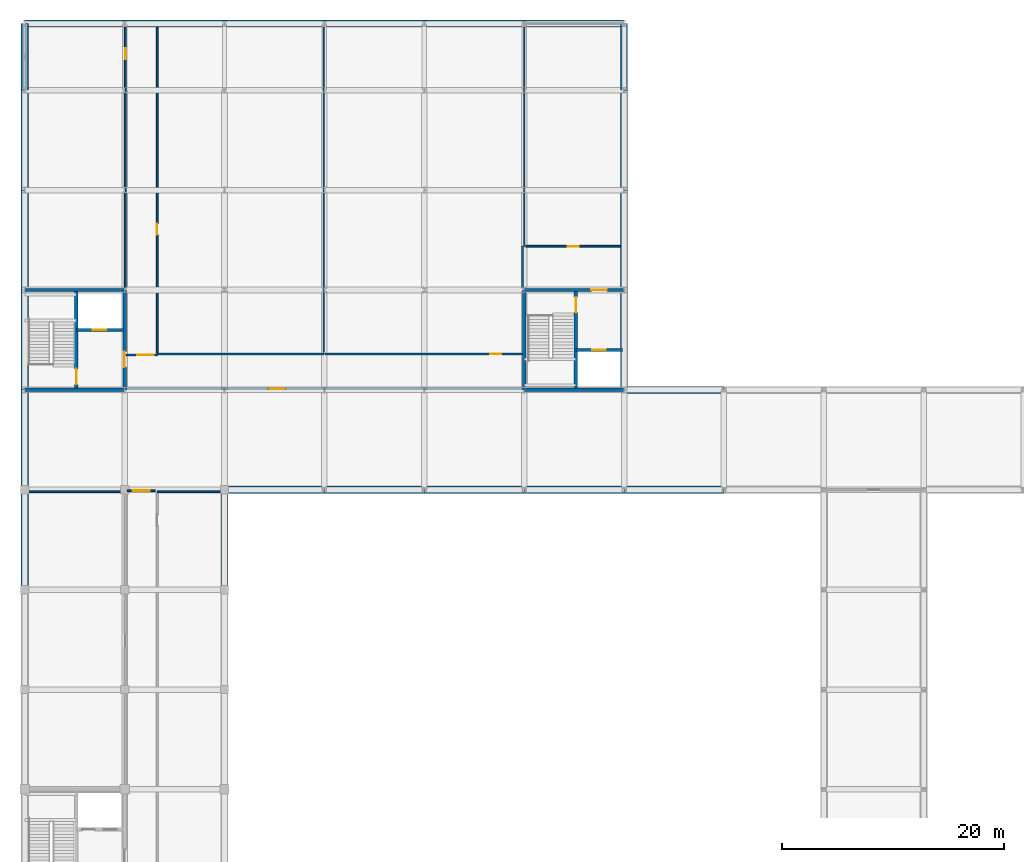
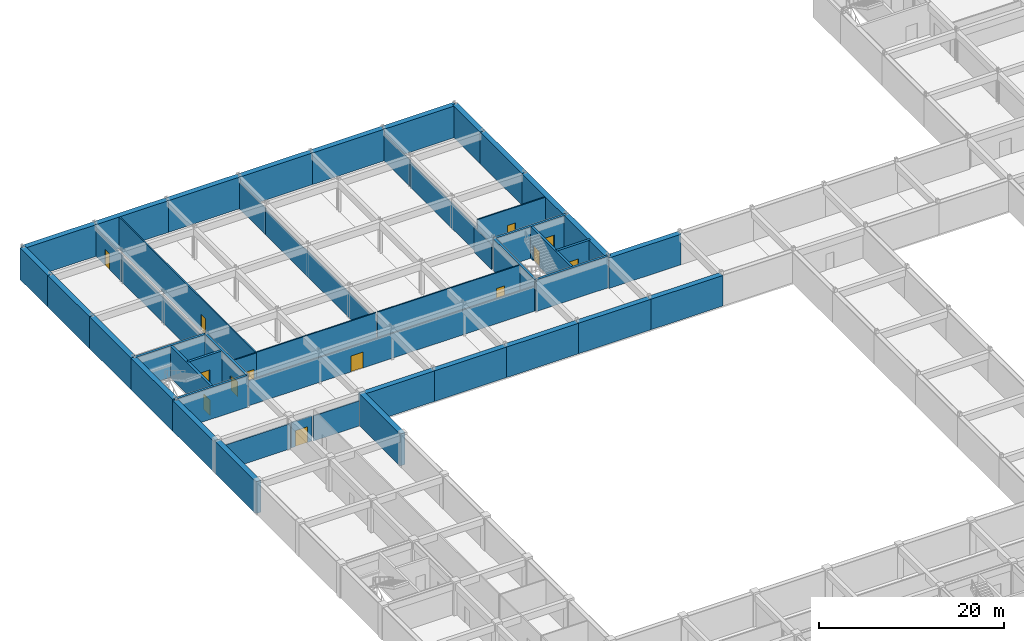
# One storey, part 23 of 35: 49 walls, 13 doors, 13 openings.
"""IFC4 building model written with IfcOpenShell, lengths in metres."""

import ifcopenshell
import ifcopenshell.guid

model = None  # the IFC model being written
_history = None  # IfcOwnerHistory: only IFC2X3 demands one
_inside = {}  # id of a spatial element -> (the spatial element, [elements in it])
_under = {}  # id of a project, library or spatial element -> (it, [spatial elements below it])
_declared = {}  # id of a project -> (the project, [libraries it declares])
_typed = {}  # id of a type object -> (the type object, [elements of that type])
_made_of = {}  # id of a material, layer set ... -> (it, [elements and type objects made of it])


def new_model(schema):
    """Start an empty IFC model of exactly this schema.

    Asked for "IFC4X3", IfcOpenShell would pick the latest addendum, in which some entities
    have other attributes; the version numbers below select the first issue.
    IFC2X3 requires an IfcOwnerHistory on every rooted entity: one is made here for all.
    """
    global model, _history
    if schema == "IFC4X3":
        model = ifcopenshell.file(schema_version=(4, 3, 0, 0))
    else:
        model = ifcopenshell.file(schema=schema)
    _inside.clear()
    _under.clear()
    _declared.clear()
    _typed.clear()
    _made_of.clear()
    _history = None
    if model.schema == "IFC2X3":
        org = make("IfcOrganization", Name="unknown")
        user = make(
            "IfcPersonAndOrganization",
            ThePerson=make("IfcPerson", FamilyName="unknown"),
            TheOrganization=org,
        )
        app = make(
            "IfcApplication",
            ApplicationDeveloper=org,
            Version="unknown",
            ApplicationFullName="unknown",
            ApplicationIdentifier="unknown",
        )
        _history = make(
            "IfcOwnerHistory",
            OwningUser=user,
            OwningApplication=app,
            ChangeAction="ADDED",
            CreationDate=0,
        )
    return model


def make(cls, **values):
    """One entity of the class cls with the attributes given. An attribute that is None is left unset."""
    return model.create_entity(
        cls, **{name: value for name, value in values.items() if value is not None}
    )


def rooted(cls, **values):
    """An entity with a GlobalId (a new one), such as an element, a storey or a relation."""
    return make(cls, GlobalId=ifcopenshell.guid.new(), OwnerHistory=_history, **values)


def si_unit(unit_type, name, prefix=None):
    """IfcSIUnit, for example si_unit("LENGTHUNIT", "METRE", prefix="MILLI")."""
    return make("IfcSIUnit", UnitType=unit_type, Prefix=prefix, Name=name)


def assignment(units):
    """IfcUnitAssignment: the units of a project."""
    return None if units is None else make("IfcUnitAssignment", Units=units)


def point(xyz):
    """IfcCartesianPoint."""
    return None if xyz is None else make("IfcCartesianPoint", Coordinates=xyz)


def direction(xyz):
    """IfcDirection."""
    return None if xyz is None else make("IfcDirection", DirectionRatios=xyz)


def frame(location, z_axis=None, x_axis=None):
    """IfcAxis2Placement3D, a coordinate frame: its origin and axes. An axis left out is left unset."""
    return make(
        "IfcAxis2Placement3D",
        Location=point(location),
        Axis=direction(z_axis),
        RefDirection=direction(x_axis),
    )


def frame_2d(location, x_axis=None):
    """IfcAxis2Placement2D, a coordinate frame in the plane: its origin and x axis."""
    return make(
        "IfcAxis2Placement2D", Location=point(location), RefDirection=direction(x_axis)
    )


def origin():
    """The frame at (0, 0, 0) with its axes left unset."""
    return frame((0.0, 0.0, 0.0))


def place(relative_to, where):
    """IfcLocalPlacement: puts the frame where relative to a parent placement (None: the world)."""
    return make(
        "IfcLocalPlacement", PlacementRelTo=relative_to, RelativePlacement=where
    )


def context(
    kind, dimensions, precision=None, world=None, true_north=None, identifier=None
):
    """IfcGeometricRepresentationContext, for example the 3D "Model" context."""
    return make(
        "IfcGeometricRepresentationContext",
        ContextIdentifier=identifier,
        ContextType=kind,
        CoordinateSpaceDimension=dimensions,
        Precision=precision,
        WorldCoordinateSystem=world,
        TrueNorth=true_north,
    )


def subcontext(parent, identifier, kind, view, scale=None):
    """IfcGeometricRepresentationSubContext, for example "Body" below "Model"."""
    return make(
        "IfcGeometricRepresentationSubContext",
        ContextIdentifier=identifier,
        ContextType=kind,
        ParentContext=parent,
        TargetScale=scale,
        TargetView=view,
    )


def project(units=None, contexts=None):
    """IfcProject with its units and contexts."""
    return rooted(
        "IfcProject",
        Name="project",
        RepresentationContexts=contexts,
        UnitsInContext=assignment(units),
    )


def spatial(cls, under=None, at=None, **own):
    """A site, building, storey or space (cls), placed at a placement, below another one or the project."""
    s = rooted(cls, ObjectPlacement=at, **own)
    if under is not None:
        _under.setdefault(under.id(), (under, []))[1].append(s)
    return s


def profile(cls, at=None, kind="AREA", **sizes):
    """A parametric profile (cls). Its sizes go by their IFC names, for example OverallWidth=200.0."""
    return make(cls, ProfileType=kind, Position=at, **sizes)


def rectangle(**sizes):
    """IfcRectangleProfileDef."""
    return profile("IfcRectangleProfileDef", **sizes)


def extrude(swept, where, along, depth):
    """IfcExtrudedAreaSolid: the profile swept, set in the frame where, extruded along a direction by depth."""
    return make(
        "IfcExtrudedAreaSolid",
        SweptArea=swept,
        Position=where,
        ExtrudedDirection=direction(along),
        Depth=depth,
    )


def shape(context_of_items, identifier, shape_type, items):
    """IfcShapeRepresentation: the items that make up one representation, for example the "Body"."""
    return make(
        "IfcShapeRepresentation",
        ContextOfItems=context_of_items,
        RepresentationIdentifier=identifier,
        RepresentationType=shape_type,
        Items=items,
    )


def material(Name=None, Category=None):
    """IfcMaterial."""
    return make("IfcMaterial", Name=Name, Category=Category)


def layer(
    of_material, thickness, ventilated=None, Name=None, Category=None, Priority=None
):
    """IfcMaterialLayer: one layer of a wall or slab, of a material (None: an air gap)."""
    return make(
        "IfcMaterialLayer",
        Material=of_material,
        LayerThickness=thickness,
        IsVentilated=ventilated,
        Name=Name,
        Category=Category,
        Priority=Priority,
    )


def layer_set(layers, Name=None):
    """IfcMaterialLayerSet."""
    return make("IfcMaterialLayerSet", MaterialLayers=layers, LayerSetName=Name)


def made_of(thing, what):
    """Note that an element or type object is made of a material, layer set ...; save() writes the relation."""
    if what is not None:
        _made_of.setdefault(what.id(), (what, []))[1].append(thing)
    return thing


def type_object(cls, material=None, **own):
    """A type object (cls), such as IfcWallType, which elements share."""
    return made_of(rooted(cls, **own), material)


def element(
    cls,
    number,
    at=None,
    inside=None,
    cuts=None,
    type_object=None,
    material=None,
    context=None,
    identifier="Body",
    shape_type=None,
    held_by="IfcProductDefinitionShape",
    body=None,
    shapes=None,
    **own,
):
    """One element of the class cls, such as IfcWall. Its Tag is "e" and its number.

    at: its placement. inside: the storey or other place that contains it. cuts: it is an
    opening in that element (IfcRelVoidsElement). A single representation is given by context,
    identifier, shape_type and body (its items); several are given by shapes. held_by: the class
    of the entity that holds the representations. save() writes the other relations.
    """
    e = rooted(cls, Tag="e%d" % number, ObjectPlacement=at, **own)
    if body is not None:
        shapes = [shape(context, identifier, shape_type, body)]
    if shapes is not None:
        e.Representation = make(held_by, Representations=shapes)
    if inside is not None:
        _inside.setdefault(inside.id(), (inside, []))[1].append(e)
    if cuts is not None:
        rooted(
            "IfcRelVoidsElement", RelatingBuildingElement=cuts, RelatedOpeningElement=e
        )
    if type_object is not None:
        _typed.setdefault(type_object.id(), (type_object, []))[1].append(e)
    return made_of(e, material)


def fill(opening, filler):
    """IfcRelFillsElement: the door or window that sits in an opening."""
    return rooted(
        "IfcRelFillsElement",
        RelatingOpeningElement=opening,
        RelatedBuildingElement=filler,
    )


def aggregate(whole, parts):
    """IfcRelAggregates: a whole, such as a stair, and the parts it consists of."""
    return rooted("IfcRelAggregates", RelatingObject=whole, RelatedObjects=parts)


def save(model, path):
    """Write the relations noted so far, then the file.

    IfcRelAggregates (storeys below a building ...), IfcRelContainedInSpatialStructure (elements
    in a storey), IfcRelDefinesByType, IfcRelAssociatesMaterial and IfcRelDeclares: one each for
    every whole, place, type object, material and project.
    """
    for whole, parts in _under.values():
        aggregate(whole, parts)
    for where, things in _inside.values():
        rooted(
            "IfcRelContainedInSpatialStructure",
            RelatedElements=things,
            RelatingStructure=where,
        )
    for kind, things in _typed.values():
        rooted("IfcRelDefinesByType", RelatedObjects=things, RelatingType=kind)
    for what, things in _made_of.values():
        rooted("IfcRelAssociatesMaterial", RelatedObjects=things, RelatingMaterial=what)
    for by, libraries in _declared.values():
        rooted("IfcRelDeclares", RelatingContext=by, RelatedDefinitions=libraries)
    model.write(path)


model = new_model("IFC4")

# Units and contexts
model_context = context("Model", 3, precision=1e-05, world=origin(), true_north=direction((0.0, 1.0)))
body_context = subcontext(model_context, "Body", "Model", "MODEL_VIEW")
ifc_project = project(units=[si_unit("LENGTHUNIT", "METRE"), si_unit("AREAUNIT", "SQUARE_METRE"), si_unit("VOLUMEUNIT", "CUBIC_METRE"), si_unit("PLANEANGLEUNIT", "RADIAN"), si_unit("MASSUNIT", "GRAM", prefix="KILO")], contexts=[model_context])

# Site, building, storey
site_placement = place(None, origin())
site = spatial("IfcSite", under=ifc_project, at=site_placement, CompositionType="ELEMENT")
building_placement = place(site_placement, origin())
building = spatial("IfcBuilding", under=site, at=building_placement, Name="Palais des Congres Ocreval", CompositionType="ELEMENT")
storey_placement = place(building_placement, frame((0.0, 0.0, -4.47998046875)))
storey = spatial("IfcBuildingStorey", under=building, at=storey_placement, Name="B1", CompositionType="ELEMENT", Elevation=-4.47998046875)

# Wall
ifc_material_1 = material(Name="Concrete C40/50", Category="concrete")
ifc_layer_1 = layer(ifc_material_1, 0.300048828125)
ifc_layer_set_1 = layer_set([ifc_layer_1], Name="Core Shear Wall 300 Concrete C40/50")
wall_type_1 = type_object("IfcWallType", Name="Core Shear Wall 300 Concrete C40/50", PredefinedType="SHEAR", material=ifc_layer_set_1)
wall_1_placement = place(storey_placement, frame((0.0, 81.0, 0.0), z_axis=(0.0, 0.0, 1.0), x_axis=(1.0, 0.0, 0.0)))
element("IfcWall", 1, at=wall_1_placement, inside=storey, type_object=wall_type_1, Name="Core Shear Wall SC05 B1 S", PredefinedType="SHEAR", context=body_context, shape_type="SweptSolid", body=[
    extrude(rectangle(XDim=9.0, YDim=0.300048828125, at=frame_2d((4.5, 0.0))), origin(), (0.0, 0.0, 1.0), 4.179931640625),
])

# Wall, opening, door
wall_2_placement = place(storey_placement, frame((9.0, 81.0, 0.0), z_axis=(0.0, 0.0, 1.0), x_axis=(0.0, 1.0, 0.0)))
wall_2 = element("IfcWall", 2, at=wall_2_placement, inside=storey, type_object=wall_type_1, Name="Core Shear Wall SC05 B1 E", PredefinedType="SHEAR", context=body_context, shape_type="SweptSolid", body=[
    extrude(rectangle(XDim=9.0, YDim=0.300048828125, at=frame_2d((4.5, 0.0))), origin(), (0.0, 0.0, 1.0), 4.179931640625),
])
opening_1_placement = place(wall_2_placement, frame((2.050048828125, 0.0, 0.0)))
opening_1 = element("IfcOpeningElement", 3, at=opening_1_placement, cuts=wall_2, Name="Opening D03", PredefinedType="OPENING", context=body_context, shape_type="SweptSolid", body=[
    extrude(rectangle(XDim=1.39990234375, YDim=2.02001953125, at=frame_2d((0.699951171875, 1.010009765625))), frame((0.0, 0.159912109375, 0.0), z_axis=(0.0, -1.0, 0.0), x_axis=(1.0, 0.0, 0.0)), (0.0, 0.0, 1.0), 0.320068359375),
])
ifc_material_2 = material(Name="Painted fire-rated steel", Category="steel")
door_type_1 = type_object("IfcDoorType", Name="Core Lobby Rated Door 1400x2020", OperationType="NOTDEFINED", PredefinedType="DOOR", material=ifc_material_2)
door_1_placement = place(opening_1_placement, origin())
door_1 = element("IfcDoor", 4, at=door_1_placement, inside=storey, type_object=door_type_1, Name="Lobby Entrance Door SC05 B1", OperationType="DOUBLE_DOOR_SINGLE_SWING", OverallHeight=2.02001953125, OverallWidth=1.39990234375, PredefinedType="DOOR", context=body_context, shape_type="SweptSolid", body=[
    extrude(rectangle(XDim=1.39990234375, YDim=2.02001953125, at=frame_2d((0.699951171875, 1.010009765625))), frame((0.0, 0.02490234375, 0.0), z_axis=(0.0, -1.0, 0.0), x_axis=(1.0, 0.0, 0.0)), (0.0, 0.0, 1.0), 0.050048828125),
])
fill(opening_1, door_1)

# Wall
wall_3_placement = place(storey_placement, frame((0.0, 90.0, 0.0), z_axis=(0.0, 0.0, 1.0), x_axis=(1.0, 0.0, 0.0)))
element("IfcWall", 5, at=wall_3_placement, inside=storey, type_object=wall_type_1, Name="Core Shear Wall SC05 B1 N", PredefinedType="SHEAR", context=body_context, shape_type="SweptSolid", body=[
    extrude(rectangle(XDim=9.0, YDim=0.300048828125, at=frame_2d((4.5, 0.0))), origin(), (0.0, 0.0, 1.0), 4.179931640625),
])

# Wall, opening, door
wall_4_placement = place(storey_placement, frame((4.64990234375, 81.14990234375, 0.0), z_axis=(0.0, 0.0, 1.0), x_axis=(0.0, 1.0, 0.0)))
wall_4 = element("IfcWall", 6, at=wall_4_placement, inside=storey, type_object=wall_type_1, Name="Core Spine Shear Wall SC05 B1", PredefinedType="SHEAR", context=body_context, shape_type="SweptSolid", body=[
    extrude(rectangle(XDim=8.7001953125, YDim=0.300048828125, at=frame_2d((4.35009765625, 0.0))), origin(), (0.0, 0.0, 1.0), 4.179931640625),
])
opening_2_placement = place(wall_4_placement, frame((0.35009765625, 0.0, 0.0)))
opening_2 = element("IfcOpeningElement", 7, at=opening_2_placement, cuts=wall_4, Name="Opening D03", PredefinedType="OPENING", context=body_context, shape_type="SweptSolid", body=[
    extrude(rectangle(XDim=1.39990234375, YDim=2.02001953125, at=frame_2d((0.699951171875, 1.010009765625))), frame((0.0, 0.159912109375, 0.0), z_axis=(0.0, -1.0, 0.0), x_axis=(1.0, 0.0, 0.0)), (0.0, 0.0, 1.0), 0.320068359375),
])
door_2_placement = place(opening_2_placement, origin())
door_2 = element("IfcDoor", 8, at=door_2_placement, inside=storey, type_object=door_type_1, Name="Protected Exit Stair Door ST05 B1", OperationType="SINGLE_SWING_LEFT", OverallHeight=2.02001953125, OverallWidth=1.39990234375, PredefinedType="DOOR", context=body_context, shape_type="SweptSolid", body=[
    extrude(rectangle(XDim=1.39990234375, YDim=2.02001953125, at=frame_2d((0.699951171875, 1.010009765625))), frame((0.0, 0.02490234375, 0.0), z_axis=(0.0, -1.0, 0.0), x_axis=(1.0, 0.0, 0.0)), (0.0, 0.0, 1.0), 0.050048828125),
])
fill(opening_2, door_2)

wall_5_placement = place(storey_placement, frame((4.64990234375, 86.39990234375, 0.0), z_axis=(0.0, 0.0, 1.0), x_axis=(1.0, 0.0, 0.0)))
wall_5 = element("IfcWall", 9, at=wall_5_placement, inside=storey, type_object=wall_type_1, Name="Lift Shaft Front Wall SC05 B1", PredefinedType="SHEAR", context=body_context, shape_type="SweptSolid", body=[
    extrude(rectangle(XDim=4.2001953125, YDim=0.300048828125, at=frame_2d((2.10009765625, 0.0))), origin(), (0.0, 0.0, 1.0), 4.179931640625),
])
opening_3_placement = place(wall_5_placement, frame((1.5, 0.0, 0.0)))
opening_3 = element("IfcOpeningElement", 10, at=opening_3_placement, cuts=wall_5, Name="Opening LD02", PredefinedType="OPENING", context=body_context, shape_type="SweptSolid", body=[
    extrude(rectangle(XDim=1.199951171875, YDim=2.199951171875, at=frame_2d((0.60009765625, 1.10009765625))), frame((0.0, 0.159912109375, 0.0), z_axis=(0.0, -1.0, 0.0), x_axis=(1.0, 0.0, 0.0)), (0.0, 0.0, 1.0), 0.320068359375),
])
ifc_material_3 = material(Name="Anodized bronze steel", Category="steel")
door_type_2 = type_object("IfcDoorType", Name="Passenger and Service Lift Sliding Door 1200x2200", OperationType="NOTDEFINED", PredefinedType="DOOR", material=ifc_material_3)
door_3_placement = place(opening_3_placement, origin())
door_3 = element("IfcDoor", 11, at=door_3_placement, inside=storey, type_object=door_type_2, Name="Lift Landing Sliding Door CL1 B1", OperationType="DOUBLE_DOOR_SLIDING", OverallHeight=2.199951171875, OverallWidth=1.199951171875, PredefinedType="DOOR", context=body_context, shape_type="SweptSolid", body=[
    extrude(rectangle(XDim=1.199951171875, YDim=2.199951171875, at=frame_2d((0.60009765625, 1.10009765625))), frame((0.0, 0.02490234375, 0.0), z_axis=(0.0, -1.0, 0.0), x_axis=(1.0, 0.0, 0.0)), (0.0, 0.0, 1.0), 0.050048828125),
])
fill(opening_3, door_3)

# Wall
wall_6_placement = place(storey_placement, frame((45.0, 81.0, 0.0), z_axis=(0.0, 0.0, 1.0), x_axis=(1.0, 0.0, 0.0)))
element("IfcWall", 12, at=wall_6_placement, inside=storey, type_object=wall_type_1, Name="Core Shear Wall SC06 B1 S", PredefinedType="SHEAR", context=body_context, shape_type="SweptSolid", body=[
    extrude(rectangle(XDim=9.0, YDim=0.300048828125, at=frame_2d((4.5, 0.0))), origin(), (0.0, 0.0, 1.0), 4.179931640625),
])

# Wall, opening, door
wall_7_placement = place(storey_placement, frame((45.0, 90.0, 0.0), z_axis=(0.0, 0.0, 1.0), x_axis=(1.0, 0.0, 0.0)))
wall_7 = element("IfcWall", 13, at=wall_7_placement, inside=storey, type_object=wall_type_1, Name="Core Shear Wall SC06 B1 N", PredefinedType="SHEAR", context=body_context, shape_type="SweptSolid", body=[
    extrude(rectangle(XDim=9.0, YDim=0.300048828125, at=frame_2d((4.5, 0.0))), origin(), (0.0, 0.0, 1.0), 4.179931640625),
])
opening_4_placement = place(wall_7_placement, frame((6.050048828125, 0.0, 0.0)))
opening_4 = element("IfcOpeningElement", 14, at=opening_4_placement, cuts=wall_7, Name="Opening D03", PredefinedType="OPENING", context=body_context, shape_type="SweptSolid", body=[
    extrude(rectangle(XDim=1.39990234375, YDim=2.02001953125, at=frame_2d((0.699951171875, 1.010009765625))), frame((0.0, 0.159912109375, 0.0), z_axis=(0.0, -1.0, 0.0), x_axis=(1.0, 0.0, 0.0)), (0.0, 0.0, 1.0), 0.320068359375),
])
door_4_placement = place(opening_4_placement, origin())
door_4 = element("IfcDoor", 15, at=door_4_placement, inside=storey, type_object=door_type_1, Name="Lobby Entrance Door SC06 B1", OperationType="DOUBLE_DOOR_SINGLE_SWING", OverallHeight=2.02001953125, OverallWidth=1.39990234375, PredefinedType="DOOR", context=body_context, shape_type="SweptSolid", body=[
    extrude(rectangle(XDim=1.39990234375, YDim=2.02001953125, at=frame_2d((0.699951171875, 1.010009765625))), frame((0.0, 0.02490234375, 0.0), z_axis=(0.0, -1.0, 0.0), x_axis=(1.0, 0.0, 0.0)), (0.0, 0.0, 1.0), 0.050048828125),
])
fill(opening_4, door_4)

# Wall
wall_8_placement = place(storey_placement, frame((45.0, 81.0, 0.0), z_axis=(0.0, 0.0, 1.0), x_axis=(0.0, 1.0, 0.0)))
element("IfcWall", 16, at=wall_8_placement, inside=storey, type_object=wall_type_1, Name="Core Shear Wall SC06 B1 W", PredefinedType="SHEAR", context=body_context, shape_type="SweptSolid", body=[
    extrude(rectangle(XDim=9.0, YDim=0.300048828125, at=frame_2d((4.5, 0.0))), origin(), (0.0, 0.0, 1.0), 4.179931640625),
])

# Wall, opening, door
wall_9_placement = place(storey_placement, frame((49.64990234375, 81.14990234375, 0.0), z_axis=(0.0, 0.0, 1.0), x_axis=(0.0, 1.0, 0.0)))
wall_9 = element("IfcWall", 17, at=wall_9_placement, inside=storey, type_object=wall_type_1, Name="Core Spine Shear Wall SC06 B1", PredefinedType="SHEAR", context=body_context, shape_type="SweptSolid", body=[
    extrude(rectangle(XDim=8.7001953125, YDim=0.300048828125, at=frame_2d((4.35009765625, 0.0))), origin(), (0.0, 0.0, 1.0), 4.179931640625),
])
opening_5_placement = place(wall_9_placement, frame((6.800048828125, 0.0, 0.0)))
opening_5 = element("IfcOpeningElement", 18, at=opening_5_placement, cuts=wall_9, Name="Opening D03", PredefinedType="OPENING", context=body_context, shape_type="SweptSolid", body=[
    extrude(rectangle(XDim=1.39990234375, YDim=2.02001953125, at=frame_2d((0.699951171875, 1.010009765625))), frame((0.0, 0.159912109375, 0.0), z_axis=(0.0, -1.0, 0.0), x_axis=(1.0, 0.0, 0.0)), (0.0, 0.0, 1.0), 0.320068359375),
])
door_5_placement = place(opening_5_placement, origin())
door_5 = element("IfcDoor", 19, at=door_5_placement, inside=storey, type_object=door_type_1, Name="Protected Exit Stair Door ST06 B1", OperationType="SINGLE_SWING_RIGHT", OverallHeight=2.02001953125, OverallWidth=1.39990234375, PredefinedType="DOOR", context=body_context, shape_type="SweptSolid", body=[
    extrude(rectangle(XDim=1.39990234375, YDim=2.02001953125, at=frame_2d((0.699951171875, 1.010009765625))), frame((0.0, 0.02490234375, 0.0), z_axis=(0.0, -1.0, 0.0), x_axis=(1.0, 0.0, 0.0)), (0.0, 0.0, 1.0), 0.050048828125),
])
fill(opening_5, door_5)

wall_10_placement = place(storey_placement, frame((49.64990234375, 84.60009765625, 0.0), z_axis=(0.0, 0.0, 1.0), x_axis=(1.0, 0.0, 0.0)))
wall_10 = element("IfcWall", 20, at=wall_10_placement, inside=storey, type_object=wall_type_1, Name="Lift Shaft Front Wall SC06 B1", PredefinedType="SHEAR", context=body_context, shape_type="SweptSolid", body=[
    extrude(rectangle(XDim=4.2001953125, YDim=0.300048828125, at=frame_2d((2.10009765625, 0.0))), origin(), (0.0, 0.0, 1.0), 4.179931640625),
])
opening_6_placement = place(wall_10_placement, frame((1.5, 0.0, 0.0)))
opening_6 = element("IfcOpeningElement", 21, at=opening_6_placement, cuts=wall_10, Name="Opening LD02", PredefinedType="OPENING", context=body_context, shape_type="SweptSolid", body=[
    extrude(rectangle(XDim=1.199951171875, YDim=2.199951171875, at=frame_2d((0.60009765625, 1.10009765625))), frame((0.0, 0.159912109375, 0.0), z_axis=(0.0, -1.0, 0.0), x_axis=(1.0, 0.0, 0.0)), (0.0, 0.0, 1.0), 0.320068359375),
])
door_6_placement = place(opening_6_placement, origin())
door_6 = element("IfcDoor", 22, at=door_6_placement, inside=storey, type_object=door_type_2, Name="Lift Landing Sliding Door BL2 B1", OperationType="DOUBLE_DOOR_SLIDING", OverallHeight=2.199951171875, OverallWidth=1.199951171875, PredefinedType="DOOR", context=body_context, shape_type="SweptSolid", body=[
    extrude(rectangle(XDim=1.199951171875, YDim=2.199951171875, at=frame_2d((0.60009765625, 1.10009765625))), frame((0.0, 0.02490234375, 0.0), z_axis=(0.0, -1.0, 0.0), x_axis=(1.0, 0.0, 0.0)), (0.0, 0.0, 1.0), 0.050048828125),
])
fill(opening_6, door_6)

# Walls
ifc_material_4 = material(Name="Gypsum acoustic partition")
ifc_layer_2 = layer(ifc_material_4, 0.159912109375)
ifc_layer_set_2 = layer_set([ifc_layer_2], Name="Corridor Fire Partition 160 Gypsum (Gypsum acoustic partition)")
wall_type_2 = type_object("IfcWallType", Name="Corridor Fire Partition 160 Gypsum", PredefinedType="PARTITIONING", material=ifc_layer_set_2)
wall_11_placement = place(storey_placement, frame((0.330078125, 71.824951171875, 0.0), z_axis=(0.0, 0.0, 1.0), x_axis=(1.0, 0.0, 0.0)))
element("IfcWall", 23, at=wall_11_placement, inside=storey, type_object=wall_type_2, Name="Interior Partition IW03 B1", PredefinedType="PARTITIONING", context=body_context, shape_type="SweptSolid", body=[
    extrude(rectangle(XDim=8.72998046875, YDim=0.159912109375, at=frame_2d((4.364990234375, 0.0))), origin(), (0.0, 0.0, 1.0), 3.320068359375),
])
wall_12_placement = place(storey_placement, frame((11.93994140625, 71.824951171875, 0.0), z_axis=(0.0, 0.0, 1.0), x_axis=(1.0, 0.0, 0.0)))
element("IfcWall", 24, at=wall_12_placement, inside=storey, type_object=wall_type_2, Name="Interior Partition IW03 B1", PredefinedType="PARTITIONING", context=body_context, shape_type="SweptSolid", body=[
    extrude(rectangle(XDim=5.72998046875, YDim=0.159912109375, at=frame_2d((2.864990234375, 0.0))), origin(), (0.0, 0.0, 1.0), 3.320068359375),
])
wall_13_placement = place(storey_placement, frame((11.93994140625, 84.235107421875, 0.0), z_axis=(0.0, 0.0, 1.0), x_axis=(1.0, 0.0, 0.0)))
element("IfcWall", 25, at=wall_13_placement, inside=storey, type_object=wall_type_2, Name="Interior Partition IW03 B1", PredefinedType="PARTITIONING", context=body_context, shape_type="SweptSolid", body=[
    extrude(rectangle(XDim=14.989990234375, YDim=0.159912109375, at=frame_2d((7.4951171875, 0.0))), origin(), (0.0, 0.0, 1.0), 4.179931640625),
])
wall_14_placement = place(storey_placement, frame((44.85009765625, 90.155029296875, 0.0), z_axis=(0.0, 0.0, 1.0), x_axis=(0.0, 1.0, 0.0)))
element("IfcWall", 26, at=wall_14_placement, inside=storey, type_object=wall_type_2, Name="Interior Partition IW03 B1", PredefinedType="PARTITIONING", context=body_context, shape_type="SweptSolid", body=[
    extrude(rectangle(XDim=3.77490234375, YDim=0.159912109375, at=frame_2d((1.887451171875, 0.0))), origin(), (0.0, 0.0, 1.0), 3.280029296875),
])

# Wall, opening, door
wall_15_placement = place(storey_placement, frame((9.219970703125, 71.909912109375, 0.0), z_axis=(0.0, 0.0, 1.0), x_axis=(1.0, 0.0, 0.0)))
wall_15 = element("IfcWall", 27, at=wall_15_placement, inside=storey, type_object=wall_type_2, Name="Interior Partition IW03 B1", PredefinedType="PARTITIONING", context=body_context, shape_type="SweptSolid", body=[
    extrude(rectangle(XDim=2.56005859375, YDim=0.159912109375, at=frame_2d((1.280029296875, 0.0))), origin(), (0.0, 0.0, 1.0), 3.320068359375),
])
opening_7_placement = place(wall_15_placement, frame((0.530029296875, 0.0, 0.0)))
opening_7 = element("IfcOpeningElement", 28, at=opening_7_placement, cuts=wall_15, Name="Opening D04", PredefinedType="OPENING", context=body_context, shape_type="SweptSolid", body=[
    extrude(rectangle(XDim=1.5, YDim=2.10009765625, at=frame_2d((0.75, 1.050048828125))), frame((0.0, 0.08984375, 0.0), z_axis=(0.0, -1.0, 0.0), x_axis=(1.0, 0.0, 0.0)), (0.0, 0.0, 1.0), 0.179931640625),
])
ifc_material_5 = material(Name="Solid French oak fire door", Category="wood")
door_type_3 = type_object("IfcDoorType", Name="Corridor Compartment Double Door 1500x2100", OperationType="NOTDEFINED", PredefinedType="DOOR", material=ifc_material_5)
door_7_placement = place(opening_7_placement, origin())
door_7 = element("IfcDoor", 29, at=door_7_placement, inside=storey, type_object=door_type_3, Name="Interior Door D04 B1", OperationType="DOUBLE_DOOR_SINGLE_SWING", OverallHeight=2.10009765625, OverallWidth=1.5, PredefinedType="DOOR", context=body_context, shape_type="SweptSolid", body=[
    extrude(rectangle(XDim=1.5, YDim=2.10009765625, at=frame_2d((0.75, 1.050048828125))), frame((0.0, 0.02490234375, 0.0), z_axis=(0.0, -1.0, 0.0), x_axis=(1.0, 0.0, 0.0)), (0.0, 0.0, 1.0), 0.050048828125),
])
fill(opening_7, door_7)

wall_16_placement = place(storey_placement, frame((9.155029296875, 84.14990234375, 0.0), z_axis=(0.0, 0.0, 1.0), x_axis=(1.0, 0.0, 0.0)))
wall_16 = element("IfcWall", 30, at=wall_16_placement, inside=storey, type_object=wall_type_2, Name="Interior Partition IW03 B1", PredefinedType="PARTITIONING", context=body_context, shape_type="SweptSolid", body=[
    extrude(rectangle(XDim=2.77490234375, YDim=0.159912109375, at=frame_2d((1.387451171875, 0.0))), origin(), (0.0, 0.0, 1.0), 4.179931640625),
])
opening_8_placement = place(wall_16_placement, frame((0.970458984375, 0.0, 0.0)))
opening_8 = element("IfcOpeningElement", 31, at=opening_8_placement, cuts=wall_16, Name="Opening D04", PredefinedType="OPENING", context=body_context, shape_type="SweptSolid", body=[
    extrude(rectangle(XDim=1.5, YDim=2.10009765625, at=frame_2d((0.75, 1.050048828125))), frame((0.0, 0.08984375, 0.0), z_axis=(0.0, -1.0, 0.0), x_axis=(1.0, 0.0, 0.0)), (0.0, 0.0, 1.0), 0.179931640625),
])
door_8_placement = place(opening_8_placement, origin())
door_8 = element("IfcDoor", 32, at=door_8_placement, inside=storey, type_object=door_type_3, Name="Interior Door D04 B1", OperationType="DOUBLE_DOOR_SINGLE_SWING", OverallHeight=2.10009765625, OverallWidth=1.5, PredefinedType="DOOR", context=body_context, shape_type="SweptSolid", body=[
    extrude(rectangle(XDim=1.5, YDim=2.10009765625, at=frame_2d((0.75, 1.050048828125))), frame((0.0, 0.02490234375, 0.0), z_axis=(0.0, -1.0, 0.0), x_axis=(1.0, 0.0, 0.0)), (0.0, 0.0, 1.0), 0.050048828125),
])
fill(opening_8, door_8)

wall_17_placement = place(storey_placement, frame((27.090087890625, 84.235107421875, 0.0), z_axis=(0.0, 0.0, 1.0), x_axis=(1.0, 0.0, 0.0)))
wall_17 = element("IfcWall", 33, at=wall_17_placement, inside=storey, type_object=wall_type_2, Name="Interior Partition IW03 B1", PredefinedType="PARTITIONING", context=body_context, shape_type="SweptSolid", body=[
    extrude(rectangle(XDim=17.7548828125, YDim=0.159912109375, at=frame_2d((8.87744140625, 0.0))), origin(), (0.0, 0.0, 1.0), 4.179931640625),
])
opening_9_placement = place(wall_17_placement, frame((14.85498046875, 0.0, 0.0)))
opening_9 = element("IfcOpeningElement", 34, at=opening_9_placement, cuts=wall_17, Name="Opening D10", PredefinedType="OPENING", context=body_context, shape_type="SweptSolid", body=[
    extrude(rectangle(XDim=1.0, YDim=2.10009765625, at=frame_2d((0.5, 1.050048828125))), frame((0.0, 0.08984375, 0.0), z_axis=(0.0, -1.0, 0.0), x_axis=(1.0, 0.0, 0.0)), (0.0, 0.0, 1.0), 0.179931640625),
])
ifc_material_6 = material(Name="Painted steel", Category="steel")
door_type_4 = type_object("IfcDoorType", Name="Service and Pantry Door 1000x2100", OperationType="NOTDEFINED", PredefinedType="DOOR", material=ifc_material_6)
door_9_placement = place(opening_9_placement, origin())
door_9 = element("IfcDoor", 35, at=door_9_placement, inside=storey, type_object=door_type_4, Name="Interior Door D10 B1", OperationType="SINGLE_SWING_RIGHT", OverallHeight=2.10009765625, OverallWidth=1.0, PredefinedType="DOOR", context=body_context, shape_type="SweptSolid", body=[
    extrude(rectangle(XDim=1.0, YDim=2.10009765625, at=frame_2d((0.5, 1.050048828125))), frame((0.0, 0.02490234375, 0.0), z_axis=(0.0, -1.0, 0.0), x_axis=(1.0, 0.0, 0.0)), (0.0, 0.0, 1.0), 0.050048828125),
])
fill(opening_9, door_9)

wall_18_placement = place(storey_placement, frame((9.155029296875, 81.090087890625, 0.0), z_axis=(0.0, 0.0, 1.0), x_axis=(1.0, 0.0, 0.0)))
wall_18 = element("IfcWall", 36, at=wall_18_placement, inside=storey, type_object=wall_type_2, Name="Interior Partition IW03 B1", PredefinedType="PARTITIONING", context=body_context, shape_type="SweptSolid", body=[
    extrude(rectangle(XDim=35.68994140625, YDim=0.159912109375, at=frame_2d((17.844970703125, 0.0))), origin(), (0.0, 0.0, 1.0), 3.280029296875),
])
opening_10_placement = place(wall_18_placement, frame((12.812255859375, 0.0, 0.0)))
opening_10 = element("IfcOpeningElement", 37, at=opening_10_placement, cuts=wall_18, Name="Opening D04", PredefinedType="OPENING", context=body_context, shape_type="SweptSolid", body=[
    extrude(rectangle(XDim=1.5, YDim=2.10009765625, at=frame_2d((0.75, 1.050048828125))), frame((0.0, 0.08984375, 0.0), z_axis=(0.0, -1.0, 0.0), x_axis=(1.0, 0.0, 0.0)), (0.0, 0.0, 1.0), 0.179931640625),
])
door_10_placement = place(opening_10_placement, origin())
door_10 = element("IfcDoor", 38, at=door_10_placement, inside=storey, type_object=door_type_3, Name="Interior Door D04 B1", OperationType="DOUBLE_DOOR_SINGLE_SWING", OverallHeight=2.10009765625, OverallWidth=1.5, PredefinedType="DOOR", context=body_context, shape_type="SweptSolid", body=[
    extrude(rectangle(XDim=1.5, YDim=2.10009765625, at=frame_2d((0.75, 1.050048828125))), frame((0.0, 0.02490234375, 0.0), z_axis=(0.0, -1.0, 0.0), x_axis=(1.0, 0.0, 0.0)), (0.0, 0.0, 1.0), 0.050048828125),
])
fill(opening_10, door_10)

wall_19_placement = place(storey_placement, frame((11.93505859375, 84.304931640625, 0.0), z_axis=(0.0, 0.0, 1.0), x_axis=(0.0, 1.0, 0.0)))
wall_19 = element("IfcWall", 39, at=wall_19_placement, inside=storey, type_object=wall_type_2, Name="Interior Partition IW03 B1", PredefinedType="PARTITIONING", context=body_context, shape_type="SweptSolid", body=[
    extrude(rectangle(XDim=29.364990234375, YDim=0.159912109375, at=frame_2d((14.6826171875, 0.0))), origin(), (0.0, 0.0, 1.0), 4.179931640625),
])
opening_11_placement = place(wall_19_placement, frame((10.65869140625, 0.0, 0.0)))
opening_11 = element("IfcOpeningElement", 40, at=opening_11_placement, cuts=wall_19, Name="Opening D10", PredefinedType="OPENING", context=body_context, shape_type="SweptSolid", body=[
    extrude(rectangle(XDim=1.0, YDim=2.10009765625, at=frame_2d((0.5, 1.050048828125))), frame((0.0, 0.08984375, 0.0), z_axis=(0.0, -1.0, 0.0), x_axis=(1.0, 0.0, 0.0)), (0.0, 0.0, 1.0), 0.179931640625),
])
door_11_placement = place(opening_11_placement, origin())
door_11 = element("IfcDoor", 41, at=door_11_placement, inside=storey, type_object=door_type_4, Name="Interior Door D10 B1", OperationType="SINGLE_SWING_LEFT", OverallHeight=2.10009765625, OverallWidth=1.0, PredefinedType="DOOR", context=body_context, shape_type="SweptSolid", body=[
    extrude(rectangle(XDim=1.0, YDim=2.10009765625, at=frame_2d((0.5, 1.050048828125))), frame((0.0, 0.02490234375, 0.0), z_axis=(0.0, -1.0, 0.0), x_axis=(1.0, 0.0, 0.0)), (0.0, 0.0, 1.0), 0.050048828125),
])
fill(opening_11, door_11)

# Wall
wall_20_placement = place(storey_placement, frame((9.06494140625, 90.155029296875, 0.0), z_axis=(0.0, 0.0, 1.0), x_axis=(0.0, 1.0, 0.0)))
element("IfcWall", 42, at=wall_20_placement, inside=storey, type_object=wall_type_2, Name="Interior Partition IW03 B1", PredefinedType="PARTITIONING", context=body_context, shape_type="SweptSolid", body=[
    extrude(rectangle(XDim=17.864990234375, YDim=0.159912109375, at=frame_2d((8.9326171875, 0.0))), origin(), (0.0, 0.0, 1.0), 3.280029296875),
])

# Wall, opening, door
wall_21_placement = place(storey_placement, frame((45.155029296875, 93.93505859375, 0.0), z_axis=(0.0, 0.0, 1.0), x_axis=(1.0, 0.0, 0.0)))
wall_21 = element("IfcWall", 43, at=wall_21_placement, inside=storey, type_object=wall_type_2, Name="Interior Partition IW03 B1", PredefinedType="PARTITIONING", context=body_context, shape_type="SweptSolid", body=[
    extrude(rectangle(XDim=8.514892578125, YDim=0.159912109375, at=frame_2d((4.25732421875, 0.0))), origin(), (0.0, 0.0, 1.0), 4.179931640625),
])
opening_12_placement = place(wall_21_placement, frame((3.757568359375, 0.0, 0.0)))
opening_12 = element("IfcOpeningElement", 44, at=opening_12_placement, cuts=wall_21, Name="Opening D10", PredefinedType="OPENING", context=body_context, shape_type="SweptSolid", body=[
    extrude(rectangle(XDim=1.0, YDim=2.10009765625, at=frame_2d((0.5, 1.050048828125))), frame((0.0, 0.08984375, 0.0), z_axis=(0.0, -1.0, 0.0), x_axis=(1.0, 0.0, 0.0)), (0.0, 0.0, 1.0), 0.179931640625),
])
door_12_placement = place(opening_12_placement, origin())
door_12 = element("IfcDoor", 45, at=door_12_placement, inside=storey, type_object=door_type_4, Name="Interior Door D10 B1", OperationType="SINGLE_SWING_LEFT", OverallHeight=2.10009765625, OverallWidth=1.0, PredefinedType="DOOR", context=body_context, shape_type="SweptSolid", body=[
    extrude(rectangle(XDim=1.0, YDim=2.10009765625, at=frame_2d((0.5, 1.050048828125))), frame((0.0, 0.02490234375, 0.0), z_axis=(0.0, -1.0, 0.0), x_axis=(1.0, 0.0, 0.0)), (0.0, 0.0, 1.0), 0.050048828125),
])
fill(opening_12, door_12)

wall_22_placement = place(storey_placement, frame((9.06494140625, 108.02001953125, 0.0), z_axis=(0.0, 0.0, 1.0), x_axis=(0.0, 1.0, 0.0)))
wall_22 = element("IfcWall", 46, at=wall_22_placement, inside=storey, type_object=wall_type_2, Name="Interior Partition IW03 B1", PredefinedType="PARTITIONING", context=body_context, shape_type="SweptSolid", body=[
    extrude(rectangle(XDim=5.64990234375, YDim=0.159912109375, at=frame_2d((2.824951171875, 0.0))), origin(), (0.0, 0.0, 1.0), 3.47998046875),
])
opening_13_placement = place(wall_22_placement, frame((2.75, 0.0, 0.0)))
opening_13 = element("IfcOpeningElement", 47, at=opening_13_placement, cuts=wall_22, Name="Opening D10", PredefinedType="OPENING", context=body_context, shape_type="SweptSolid", body=[
    extrude(rectangle(XDim=1.0, YDim=2.10009765625, at=frame_2d((0.5, 1.050048828125))), frame((0.0, 0.08984375, 0.0), z_axis=(0.0, -1.0, 0.0), x_axis=(1.0, 0.0, 0.0)), (0.0, 0.0, 1.0), 0.179931640625),
])
door_13_placement = place(opening_13_placement, origin())
door_13 = element("IfcDoor", 48, at=door_13_placement, inside=storey, type_object=door_type_4, Name="Interior Door D10 B1", OperationType="SINGLE_SWING_RIGHT", OverallHeight=2.10009765625, OverallWidth=1.0, PredefinedType="DOOR", context=body_context, shape_type="SweptSolid", body=[
    extrude(rectangle(XDim=1.0, YDim=2.10009765625, at=frame_2d((0.5, 1.050048828125))), frame((0.0, 0.02490234375, 0.0), z_axis=(0.0, -1.0, 0.0), x_axis=(1.0, 0.0, 0.0)), (0.0, 0.0, 1.0), 0.050048828125),
])
fill(opening_13, door_13)

# Walls
ifc_material_7 = material(Name="Gypsum board partition")
ifc_layer_3 = layer(ifc_material_7, 0.1201171875)
ifc_layer_set_3 = layer_set([ifc_layer_3], Name="Suite Subdivision Partition 120 Gypsum (Gypsum board partition)")
wall_type_3 = type_object("IfcWallType", Name="Suite Subdivision Partition 120 Gypsum", PredefinedType="PARTITIONING", material=ifc_layer_set_3)
wall_23_placement = place(storey_placement, frame((26.93505859375, 84.389892578125, 0.0), z_axis=(0.0, 0.0, 1.0), x_axis=(0.0, 1.0, 0.0)))
element("IfcWall", 49, at=wall_23_placement, inside=storey, type_object=wall_type_3, Name="Interior Partition IW04 B1", PredefinedType="PARTITIONING", context=body_context, shape_type="SweptSolid", body=[
    extrude(rectangle(XDim=23.630126953125, YDim=0.1201171875, at=frame_2d((11.81494140625, 0.0))), origin(), (0.0, 0.0, 1.0), 3.280029296875),
])
wall_24_placement = place(storey_placement, frame((45.0, 93.93994140625, 0.0), z_axis=(0.0, 0.0, 1.0), x_axis=(0.0, 1.0, 0.0)))
element("IfcWall", 50, at=wall_24_placement, inside=storey, type_object=wall_type_3, Name="Interior Partition IW04 B1", PredefinedType="PARTITIONING", context=body_context, shape_type="SweptSolid", body=[
    extrude(rectangle(XDim=14.080078125, YDim=0.1201171875, at=frame_2d((7.0400390625, 0.0))), origin(), (0.0, 0.0, 1.0), 3.280029296875),
])
for number, where, z_axis, x_axis, name in (
    (51, (26.93505859375, 108.02001953125, 0.0), (0.0, 0.0, 1.0), (0.0, 1.0, 0.0), "Interior Partition IW04 B1"),
    (52, (45.0, 108.02001953125, 0.0), (0.0, 0.0, 1.0), (0.0, 1.0, 0.0), "Interior Partition IW04 B1"),
):
    element("IfcWall", number, at=place(storey_placement, frame(where, z_axis=z_axis, x_axis=x_axis)), inside=storey, type_object=wall_type_3, Name=name, PredefinedType="PARTITIONING", context=body_context, shape_type="SweptSolid", body=[
        extrude(rectangle(XDim=5.64990234375, YDim=0.1201171875, at=frame_2d((2.824951171875, 0.0))), origin(), (0.0, 0.0, 1.0), 3.47998046875),
    ])
ifc_material_8 = material(Name="Concrete C35/45", Category="concrete")
ifc_layer_4 = layer(ifc_material_8, 0.64990234375)
ifc_layer_set_4 = layer_set([ifc_layer_4], Name="Upper Retaining Wall 650 Concrete C35/45")
wall_type_4 = type_object("IfcWallType", Name="Upper Retaining Wall 650 Concrete C35/45", PredefinedType="USERDEFINED", material=ifc_layer_set_4)
wall_25_placement = place(storey_placement, frame((0.0, 63.0, 0.0), z_axis=(0.0, 0.0, 1.0), x_axis=(0.0, 1.0, 0.0)))
element("IfcWall", 53, at=wall_25_placement, inside=storey, type_object=wall_type_4, Name="Basement Diaphragm Wall RW02 B1", ObjectType="RETAININGWALL", PredefinedType="USERDEFINED", context=body_context, shape_type="SweptSolid", body=[
    extrude(rectangle(XDim=9.0, YDim=0.64990234375, at=frame_2d((4.5, 0.0))), origin(), (0.0, 0.0, 1.0), 4.219970703125),
])
wall_26_placement = place(storey_placement, frame((0.0, 72.0, 0.0), z_axis=(0.0, 0.0, 1.0), x_axis=(0.0, 1.0, 0.0)))
element("IfcWall", 54, at=wall_26_placement, inside=storey, type_object=wall_type_4, Name="Basement Diaphragm Wall RW02 B1", ObjectType="RETAININGWALL", PredefinedType="USERDEFINED", context=body_context, shape_type="SweptSolid", body=[
    extrude(rectangle(XDim=9.0, YDim=0.64990234375, at=frame_2d((4.5, 0.0))), origin(), (0.0, 0.0, 1.0), 4.030029296875),
])
for number, where, z_axis, x_axis, name in (
    (55, (0.0, 81.0, 0.0), (0.0, 0.0, 1.0), (0.0, 1.0, 0.0), "Basement Diaphragm Wall RW02 B1"),
    (56, (0.0, 90.0, 0.0), (0.0, 0.0, 1.0), (0.0, 1.0, 0.0), "Basement Diaphragm Wall RW02 B1"),
    (57, (0.0, 99.0, 0.0), (0.0, 0.0, 1.0), (0.0, 1.0, 0.0), "Basement Diaphragm Wall RW02 B1"),
):
    element("IfcWall", number, at=place(storey_placement, frame(where, z_axis=z_axis, x_axis=x_axis)), inside=storey, type_object=wall_type_4, Name=name, ObjectType="RETAININGWALL", PredefinedType="USERDEFINED", context=body_context, shape_type="SweptSolid", body=[
        extrude(rectangle(XDim=9.0, YDim=0.64990234375, at=frame_2d((4.5, 0.0))), origin(), (0.0, 0.0, 1.0), 4.179931640625),
    ])
wall_27_placement = place(storey_placement, frame((0.0, 108.0, 0.0), z_axis=(0.0, 0.0, 1.0), x_axis=(0.0, 1.0, 0.0)))
element("IfcWall", 58, at=wall_27_placement, inside=storey, type_object=wall_type_4, Name="Basement Diaphragm Wall RW02 B1", ObjectType="RETAININGWALL", PredefinedType="USERDEFINED", context=body_context, shape_type="SweptSolid", body=[
    extrude(rectangle(XDim=6.0, YDim=0.64990234375, at=frame_2d((3.0, 0.0))), origin(), (0.0, 0.0, 1.0), 4.179931640625),
])
for number, where, z_axis, x_axis, name in (
    (59, (0.0, 114.0, 0.0), (0.0, 0.0, 1.0), (1.0, 0.0, 0.0), "Basement Diaphragm Wall RW02 B1"),
    (60, (9.0, 114.0, 0.0), (0.0, 0.0, 1.0), (1.0, 0.0, 0.0), "Basement Diaphragm Wall RW02 B1"),
    (61, (18.0, 114.0, 0.0), (0.0, 0.0, 1.0), (1.0, 0.0, 0.0), "Basement Diaphragm Wall RW02 B1"),
    (62, (27.0, 114.0, 0.0), (0.0, 0.0, 1.0), (1.0, 0.0, 0.0), "Basement Diaphragm Wall RW02 B1"),
    (63, (36.0, 114.0, 0.0), (0.0, 0.0, 1.0), (1.0, 0.0, 0.0), "Basement Diaphragm Wall RW02 B1"),
    (64, (45.0, 114.0, 0.0), (0.0, 0.0, 1.0), (1.0, 0.0, 0.0), "Basement Diaphragm Wall RW02 B1"),
):
    element("IfcWall", number, at=place(storey_placement, frame(where, z_axis=z_axis, x_axis=x_axis)), inside=storey, type_object=wall_type_4, Name=name, ObjectType="RETAININGWALL", PredefinedType="USERDEFINED", context=body_context, shape_type="SweptSolid", body=[
        extrude(rectangle(XDim=9.0, YDim=0.64990234375, at=frame_2d((4.5, 0.0))), origin(), (0.0, 0.0, 1.0), 4.179931640625),
    ])
wall_28_placement = place(storey_placement, frame((54.0, 114.0, 0.0), z_axis=(0.0, 0.0, 1.0), x_axis=(0.0, -1.0, 0.0)))
element("IfcWall", 65, at=wall_28_placement, inside=storey, type_object=wall_type_4, Name="Basement Diaphragm Wall RW02 B1", ObjectType="RETAININGWALL", PredefinedType="USERDEFINED", context=body_context, shape_type="SweptSolid", body=[
    extrude(rectangle(XDim=6.0, YDim=0.64990234375, at=frame_2d((3.0, 0.0))), origin(), (0.0, 0.0, 1.0), 4.179931640625),
])
for number, where, z_axis, x_axis, name in (
    (66, (54.0, 108.0, 0.0), (0.0, 0.0, 1.0), (0.0, -1.0, 0.0), "Basement Diaphragm Wall RW02 B1"),
    (67, (54.0, 99.0, 0.0), (0.0, 0.0, 1.0), (0.0, -1.0, 0.0), "Basement Diaphragm Wall RW02 B1"),
    (68, (54.0, 90.0, 0.0), (0.0, 0.0, 1.0), (0.0, -1.0, 0.0), "Basement Diaphragm Wall RW02 B1"),
):
    element("IfcWall", number, at=place(storey_placement, frame(where, z_axis=z_axis, x_axis=x_axis)), inside=storey, type_object=wall_type_4, Name=name, ObjectType="RETAININGWALL", PredefinedType="USERDEFINED", context=body_context, shape_type="SweptSolid", body=[
        extrude(rectangle(XDim=9.0, YDim=0.64990234375, at=frame_2d((4.5, 0.0))), origin(), (0.0, 0.0, 1.0), 4.179931640625),
    ])
wall_29_placement = place(storey_placement, frame((54.0, 81.0, 0.0), z_axis=(0.0, 0.0, 1.0), x_axis=(1.0, 0.0, 0.0)))
element("IfcWall", 69, at=wall_29_placement, inside=storey, type_object=wall_type_4, Name="Basement Diaphragm Wall RW02 B1", ObjectType="RETAININGWALL", PredefinedType="USERDEFINED", context=body_context, shape_type="SweptSolid", body=[
    extrude(rectangle(XDim=9.0, YDim=0.64990234375, at=frame_2d((4.5, 0.0))), origin(), (0.0, 0.0, 1.0), 4.030029296875),
])
wall_30_placement = place(storey_placement, frame((18.0, 72.0, 0.0), z_axis=(0.0, 0.0, 1.0), x_axis=(0.0, -1.0, 0.0)))
element("IfcWall", 70, at=wall_30_placement, inside=storey, type_object=wall_type_4, Name="Basement Diaphragm Wall RW02 B1", ObjectType="RETAININGWALL", PredefinedType="USERDEFINED", context=body_context, shape_type="SweptSolid", body=[
    extrude(rectangle(XDim=9.0, YDim=0.64990234375, at=frame_2d((4.5, 0.0))), origin(), (0.0, 0.0, 1.0), 4.219970703125),
])
for number, where, z_axis, x_axis, name in (
    (71, (63.0, 72.0, 0.0), (0.0, 0.0, 1.0), (-1.0, 0.0, 0.0), "Basement Diaphragm Wall RW02 B1"),
    (72, (54.0, 72.0, 0.0), (0.0, 0.0, 1.0), (-1.0, 0.0, 0.0), "Basement Diaphragm Wall RW02 B1"),
    (73, (45.0, 72.0, 0.0), (0.0, 0.0, 1.0), (-1.0, 0.0, 0.0), "Basement Diaphragm Wall RW02 B1"),
    (74, (36.0, 72.0, 0.0), (0.0, 0.0, 1.0), (-1.0, 0.0, 0.0), "Basement Diaphragm Wall RW02 B1"),
    (75, (27.0, 72.0, 0.0), (0.0, 0.0, 1.0), (-1.0, 0.0, 0.0), "Basement Diaphragm Wall RW02 B1"),
):
    element("IfcWall", number, at=place(storey_placement, frame(where, z_axis=z_axis, x_axis=x_axis)), inside=storey, type_object=wall_type_4, Name=name, ObjectType="RETAININGWALL", PredefinedType="USERDEFINED", context=body_context, shape_type="SweptSolid", body=[
        extrude(rectangle(XDim=9.0, YDim=0.64990234375, at=frame_2d((4.5, 0.0))), origin(), (0.0, 0.0, 1.0), 4.030029296875),
    ])

save(model, "model.ifc")
